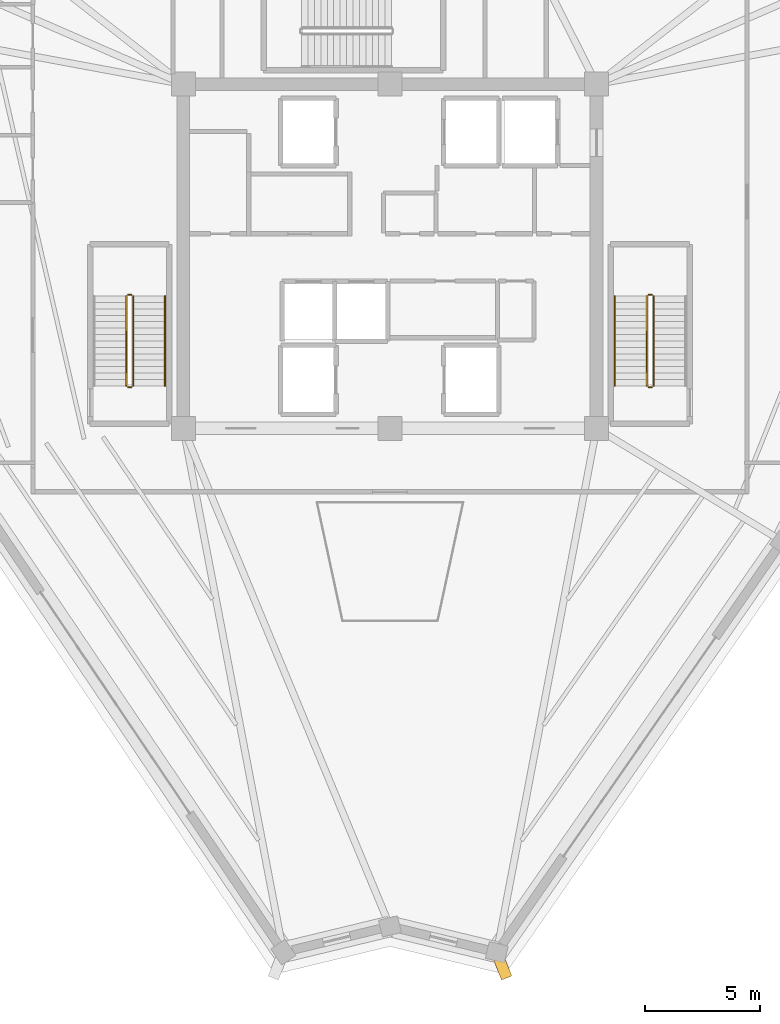
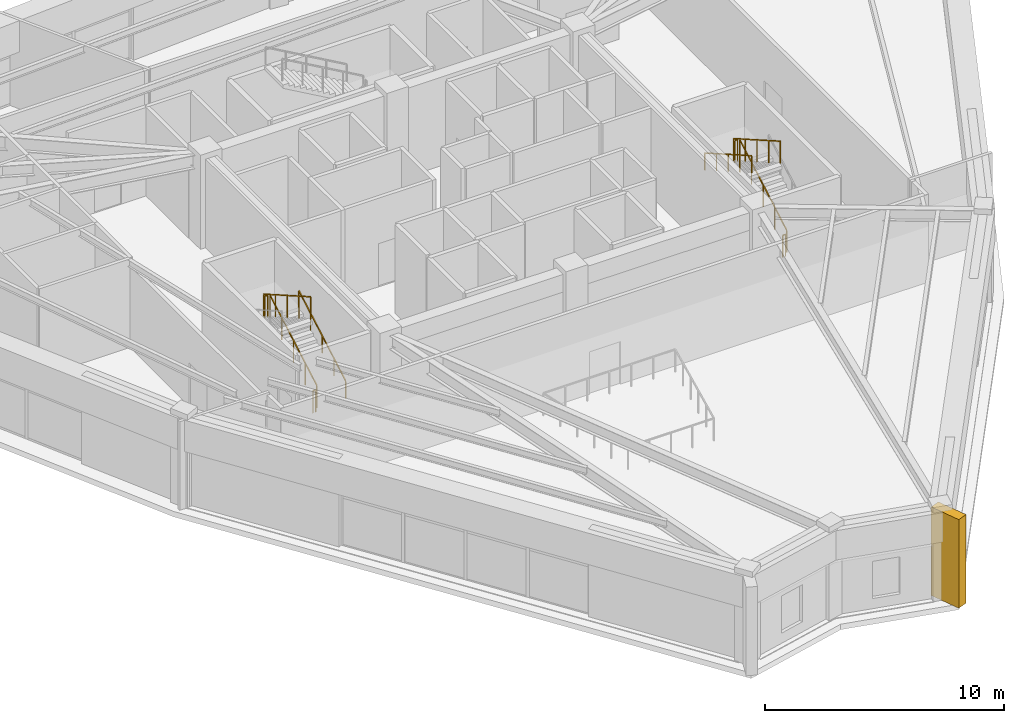
# One storey, part 39 of 40: 10 railings, 1 covering.
"""IFC4 building model written with IfcOpenShell, lengths in metres."""

from ifc_helpers import new_model, si_unit, direction, frame, origin, origin_2d, place, context, subcontext, project, spatial, rectangle, extrude, source, transform, mapped, material, layer, layer_set, type_object, element, save


model = new_model("IFC4")

# Units and contexts
model_context = context("Model", 3, precision=1e-05, world=origin(), true_north=direction((0.0, 1.0)))
body_context = subcontext(model_context, "Body", "Model", "MODEL_VIEW")
ifc_project = project(units=[si_unit("LENGTHUNIT", "METRE"), si_unit("AREAUNIT", "SQUARE_METRE"), si_unit("VOLUMEUNIT", "CUBIC_METRE"), si_unit("PLANEANGLEUNIT", "RADIAN"), si_unit("MASSUNIT", "GRAM", prefix="KILO")], contexts=[model_context])

# Site, building, storey
site_placement = place(None, origin())
site = spatial("IfcSite", under=ifc_project, at=site_placement, CompositionType="ELEMENT")
building_placement = place(site_placement, origin())
building = spatial("IfcBuilding", under=site, at=building_placement, Name="Liaohun Quay Tower", CompositionType="ELEMENT")
storey_placement = place(building_placement, frame((0.0, 0.0, 351.0)))
storey = spatial("IfcBuildingStorey", under=building, at=storey_placement, Name="L91", CompositionType="ELEMENT", Elevation=351.0)

# Railings
ifc_material_1 = material(Name="Painted tubular steel", Category="steel")
railing_type_1 = type_object("IfcRailingType", Name="RLG-GUARD-STR", PredefinedType="GUARDRAIL", material=ifc_material_1)
railing_1_placement = place(storey_placement, frame((48.81005859375, 48.35009765625, 0.159912109375)))
element("IfcRailing", 1, at=railing_1_placement, inside=storey, type_object=railing_type_1, Name="L91 ST-1 stair guard 1", PredefinedType="GUARDRAIL", context=body_context, shape_type="SweptSolid", body=[
    extrude(rectangle(XDim=0.048095703125, YDim=0.048095703125, at=origin_2d()), frame((0.0, 0.0, 1.1259765625), z_axis=(0.0, 0.868239814368, 0.496144761885), x_axis=(-1.0, 0.0, 0.0)), (0.0, 0.0, 1.0), 4.514892578125),
    extrude(rectangle(XDim=0.0419921875, YDim=0.0419921875, at=origin_2d()), origin(), (0.0, 0.0, 1.0), 1.101806640625),
    extrude(rectangle(XDim=0.0419921875, YDim=0.0419921875, at=origin_2d()), frame((0.0, 0.97998046875, 0.56005859375)), (0.0, 0.0, 1.0), 1.101806640625),
    extrude(rectangle(XDim=0.0419921875, YDim=0.0419921875, at=origin_2d()), frame((0.0, 1.9599609375, 1.1201171875)), (0.0, 0.0, 1.0), 1.101806640625),
    extrude(rectangle(XDim=0.0419921875, YDim=0.0419921875, at=origin_2d()), frame((0.0, 2.93994140625, 1.679931640625)), (0.0, 0.0, 1.0), 1.101806640625),
    extrude(rectangle(XDim=0.0419921875, YDim=0.0419921875, at=origin_2d()), frame((0.0, 3.919921875, 2.239990234375)), (0.0, 0.0, 1.0), 1.101806640625),
])
railing_2_placement = place(storey_placement, frame((48.72998046875, 52.320068359375, 2.39990234375)))
element("IfcRailing", 2, at=railing_2_placement, inside=storey, type_object=railing_type_1, Name="L91 ST-1 stair guard 2", PredefinedType="GUARDRAIL", context=body_context, shape_type="SweptSolid", body=[
    extrude(rectangle(XDim=0.048095703125, YDim=0.048095703125, at=origin_2d()), frame((0.0, 0.0, 1.1259765625), z_axis=(-1.0, 0.0, 0.0), x_axis=(0.0, -1.0, 0.0)), (0.0, 0.0, 1.0), 0.139892578125),
    extrude(rectangle(XDim=0.0419921875, YDim=0.0419921875, at=origin_2d()), origin(), (0.0, 0.0, 1.0), 1.101806640625),
    extrude(rectangle(XDim=0.0419921875, YDim=0.0419921875, at=origin_2d()), frame((-0.139892578125, 0.0, 0.0)), (0.0, 0.0, 1.0), 1.101806640625),
])
railing_3_placement = place(storey_placement, frame((48.510009765625, 52.27001953125, 2.56005859375)))
element("IfcRailing", 3, at=railing_3_placement, inside=storey, type_object=railing_type_1, Name="L91 ST-1 stair guard 3", PredefinedType="GUARDRAIL", context=body_context, shape_type="SweptSolid", body=[
    extrude(rectangle(XDim=0.048095703125, YDim=0.048095703125, at=origin_2d()), frame((0.0, 0.0, 1.1259765625), z_axis=(0.0, -0.868239814368, 0.496144761885), x_axis=(1.0, 0.0, 0.0)), (0.0, 0.0, 1.0), 4.514892578125),
    extrude(rectangle(XDim=0.0419921875, YDim=0.0419921875, at=origin_2d()), origin(), (0.0, 0.0, 1.0), 1.101806640625),
    extrude(rectangle(XDim=0.0419921875, YDim=0.0419921875, at=origin_2d()), frame((0.0, -0.97998046875, 0.56005859375)), (0.0, 0.0, 1.0), 1.101806640625),
    extrude(rectangle(XDim=0.0419921875, YDim=0.0419921875, at=origin_2d()), frame((0.0, -1.9599609375, 1.1201171875)), (0.0, 0.0, 1.0), 1.101806640625),
    extrude(rectangle(XDim=0.0419921875, YDim=0.0419921875, at=origin_2d()), frame((0.0, -2.93994140625, 1.679931640625)), (0.0, 0.0, 1.0), 1.101806640625),
    extrude(rectangle(XDim=0.0419921875, YDim=0.0419921875, at=origin_2d()), frame((0.0, -3.919921875, 2.239990234375)), (0.0, 0.0, 1.0), 1.101806640625),
])
railing_4_placement = place(storey_placement, frame((48.72998046875, 48.300048828125, 0.0)))
element("IfcRailing", 4, at=railing_4_placement, inside=storey, type_object=railing_type_1, Name="L91 ST-1 stair guard 4", PredefinedType="GUARDRAIL", context=body_context, shape_type="SweptSolid", body=[
    extrude(rectangle(XDim=0.048095703125, YDim=0.048095703125, at=origin_2d()), frame((0.0, 0.0, 1.1259765625), z_axis=(-1.0, 0.0, 0.0), x_axis=(0.0, -1.0, 0.0)), (0.0, 0.0, 1.0), 0.139892578125),
    extrude(rectangle(XDim=0.0419921875, YDim=0.0419921875, at=origin_2d()), origin(), (0.0, 0.0, 1.0), 1.101806640625),
    extrude(rectangle(XDim=0.0419921875, YDim=0.0419921875, at=origin_2d()), frame((-0.139892578125, 0.0, 0.0)), (0.0, 0.0, 1.0), 1.101806640625),
])
railing_5_placement = place(storey_placement, frame((71.489990234375, 48.35009765625, 0.159912109375)))
element("IfcRailing", 5, at=railing_5_placement, inside=storey, type_object=railing_type_1, Name="L91 ST-2 stair guard 1", PredefinedType="GUARDRAIL", context=body_context, shape_type="SweptSolid", body=[
    extrude(rectangle(XDim=0.048095703125, YDim=0.048095703125, at=origin_2d()), frame((0.0, 0.0, 1.1259765625), z_axis=(0.0, 0.868239814368, 0.496144761885), x_axis=(-1.0, 0.0, 0.0)), (0.0, 0.0, 1.0), 4.514892578125),
    extrude(rectangle(XDim=0.0419921875, YDim=0.0419921875, at=origin_2d()), origin(), (0.0, 0.0, 1.0), 1.101806640625),
    extrude(rectangle(XDim=0.0419921875, YDim=0.0419921875, at=origin_2d()), frame((0.0, 0.97998046875, 0.56005859375)), (0.0, 0.0, 1.0), 1.101806640625),
    extrude(rectangle(XDim=0.0419921875, YDim=0.0419921875, at=origin_2d()), frame((0.0, 1.9599609375, 1.1201171875)), (0.0, 0.0, 1.0), 1.101806640625),
    extrude(rectangle(XDim=0.0419921875, YDim=0.0419921875, at=origin_2d()), frame((0.0, 2.93994140625, 1.679931640625)), (0.0, 0.0, 1.0), 1.101806640625),
    extrude(rectangle(XDim=0.0419921875, YDim=0.0419921875, at=origin_2d()), frame((0.0, 3.919921875, 2.239990234375)), (0.0, 0.0, 1.0), 1.101806640625),
])
railing_6_placement = place(storey_placement, frame((71.409912109375, 52.320068359375, 2.39990234375)))
element("IfcRailing", 6, at=railing_6_placement, inside=storey, type_object=railing_type_1, Name="L91 ST-2 stair guard 2", PredefinedType="GUARDRAIL", context=body_context, shape_type="SweptSolid", body=[
    extrude(rectangle(XDim=0.048095703125, YDim=0.048095703125, at=origin_2d()), frame((0.0, 0.0, 1.1259765625), z_axis=(-1.0, 0.0, 0.0), x_axis=(0.0, -1.0, 0.0)), (0.0, 0.0, 1.0), 0.139892578125),
    extrude(rectangle(XDim=0.0419921875, YDim=0.0419921875, at=origin_2d()), origin(), (0.0, 0.0, 1.0), 1.101806640625),
    extrude(rectangle(XDim=0.0419921875, YDim=0.0419921875, at=origin_2d()), frame((-0.139892578125, 0.0, 0.0)), (0.0, 0.0, 1.0), 1.101806640625),
])
railing_7_placement = place(storey_placement, frame((71.18994140625, 52.27001953125, 2.56005859375)))
element("IfcRailing", 7, at=railing_7_placement, inside=storey, type_object=railing_type_1, Name="L91 ST-2 stair guard 3", PredefinedType="GUARDRAIL", context=body_context, shape_type="SweptSolid", body=[
    extrude(rectangle(XDim=0.048095703125, YDim=0.048095703125, at=origin_2d()), frame((0.0, 0.0, 1.1259765625), z_axis=(0.0, -0.868239814368, 0.496144761885), x_axis=(1.0, 0.0, 0.0)), (0.0, 0.0, 1.0), 4.514892578125),
    extrude(rectangle(XDim=0.0419921875, YDim=0.0419921875, at=origin_2d()), origin(), (0.0, 0.0, 1.0), 1.101806640625),
    extrude(rectangle(XDim=0.0419921875, YDim=0.0419921875, at=origin_2d()), frame((0.0, -0.97998046875, 0.56005859375)), (0.0, 0.0, 1.0), 1.101806640625),
    extrude(rectangle(XDim=0.0419921875, YDim=0.0419921875, at=origin_2d()), frame((0.0, -1.9599609375, 1.1201171875)), (0.0, 0.0, 1.0), 1.101806640625),
    extrude(rectangle(XDim=0.0419921875, YDim=0.0419921875, at=origin_2d()), frame((0.0, -2.93994140625, 1.679931640625)), (0.0, 0.0, 1.0), 1.101806640625),
    extrude(rectangle(XDim=0.0419921875, YDim=0.0419921875, at=origin_2d()), frame((0.0, -3.919921875, 2.239990234375)), (0.0, 0.0, 1.0), 1.101806640625),
])
railing_8_placement = place(storey_placement, frame((71.409912109375, 48.300048828125, 0.0)))
element("IfcRailing", 8, at=railing_8_placement, inside=storey, type_object=railing_type_1, Name="L91 ST-2 stair guard 4", PredefinedType="GUARDRAIL", context=body_context, shape_type="SweptSolid", body=[
    extrude(rectangle(XDim=0.048095703125, YDim=0.048095703125, at=origin_2d()), frame((0.0, 0.0, 1.1259765625), z_axis=(-1.0, 0.0, 0.0), x_axis=(0.0, -1.0, 0.0)), (0.0, 0.0, 1.0), 0.139892578125),
    extrude(rectangle(XDim=0.0419921875, YDim=0.0419921875, at=origin_2d()), origin(), (0.0, 0.0, 1.0), 1.101806640625),
    extrude(rectangle(XDim=0.0419921875, YDim=0.0419921875, at=origin_2d()), frame((-0.139892578125, 0.0, 0.0)), (0.0, 0.0, 1.0), 1.101806640625),
])
ifc_material_2 = material(Name="Brushed stainless steel", Category="steel")
railing_type_2 = type_object("IfcRailingType", Name="RLG-HND-STR", PredefinedType="HANDRAIL", material=ifc_material_2)
railing_9_placement = place(storey_placement, frame((50.199951171875, 48.35009765625, 0.159912109375)))
element("IfcRailing", 9, at=railing_9_placement, inside=storey, type_object=railing_type_2, Name="L91 ST-1 stair handrail 1", PredefinedType="HANDRAIL", context=body_context, shape_type="SweptSolid", body=[
    extrude(rectangle(XDim=0.048095703125, YDim=0.048095703125, at=origin_2d()), frame((0.0, 0.0, 0.8759765625), z_axis=(0.0, 0.868239814368, 0.496144761885), x_axis=(-1.0, 0.0, 0.0)), (0.0, 0.0, 1.0), 4.514892578125),
    extrude(rectangle(XDim=0.0419921875, YDim=0.0419921875, at=origin_2d()), origin(), (0.0, 0.0, 1.0), 0.851806640625),
    extrude(rectangle(XDim=0.0419921875, YDim=0.0419921875, at=origin_2d()), frame((0.0, 0.97998046875, 0.56005859375)), (0.0, 0.0, 1.0), 0.851806640625),
    extrude(rectangle(XDim=0.0419921875, YDim=0.0419921875, at=origin_2d()), frame((0.0, 1.9599609375, 1.1201171875)), (0.0, 0.0, 1.0), 0.851806640625),
    extrude(rectangle(XDim=0.0419921875, YDim=0.0419921875, at=origin_2d()), frame((0.0, 2.93994140625, 1.679931640625)), (0.0, 0.0, 1.0), 0.851806640625),
    extrude(rectangle(XDim=0.0419921875, YDim=0.0419921875, at=origin_2d()), frame((0.0, 3.919921875, 2.239990234375)), (0.0, 0.0, 1.0), 0.851806640625),
])
railing_10_placement = place(storey_placement, frame((69.800048828125, 52.27001953125, 2.56005859375)))
element("IfcRailing", 10, at=railing_10_placement, inside=storey, type_object=railing_type_2, Name="L91 ST-2 stair handrail 2", PredefinedType="HANDRAIL", context=body_context, shape_type="SweptSolid", body=[
    extrude(rectangle(XDim=0.048095703125, YDim=0.048095703125, at=origin_2d()), frame((0.0, 0.0, 0.8759765625), z_axis=(0.0, -0.868239814368, 0.496144761885), x_axis=(1.0, 0.0, 0.0)), (0.0, 0.0, 1.0), 4.514892578125),
    extrude(rectangle(XDim=0.0419921875, YDim=0.0419921875, at=origin_2d()), origin(), (0.0, 0.0, 1.0), 0.851806640625),
    extrude(rectangle(XDim=0.0419921875, YDim=0.0419921875, at=origin_2d()), frame((0.0, -0.97998046875, 0.56005859375)), (0.0, 0.0, 1.0), 0.851806640625),
    extrude(rectangle(XDim=0.0419921875, YDim=0.0419921875, at=origin_2d()), frame((0.0, -1.9599609375, 1.1201171875)), (0.0, 0.0, 1.0), 0.851806640625),
    extrude(rectangle(XDim=0.0419921875, YDim=0.0419921875, at=origin_2d()), frame((0.0, -2.93994140625, 1.679931640625)), (0.0, 0.0, 1.0), 0.851806640625),
    extrude(rectangle(XDim=0.0419921875, YDim=0.0419921875, at=origin_2d()), frame((0.0, -3.919921875, 2.239990234375)), (0.0, 0.0, 1.0), 0.851806640625),
])

# Covering
ifc_material_3 = material(Name="Bush-hammered Liaodong grey granite stone cladding", Category="masonry")
ifc_layer = layer(ifc_material_3, 0.0400390625, Name="Bush-hammered Liaodong grey granite stone cladding", Category="masonry")
ifc_layer_set = layer_set([ifc_layer], Name="Bush-hammered Liaodong grey granite stone cladding")
covering_type = type_object("IfcCoveringType", Name="COV-EXT-CLD", PredefinedType="CLADDING", material=ifc_layer_set)
shared_shape = source(origin(), body_context, "Body", "SweptSolid", [
    extrude(rectangle(XDim=1.485107421875, YDim=0.47998046875, at=origin_2d()), origin(), (0.0, 0.0, 1.0), 4.52001953125),
])
covering_placement = place(storey_placement, frame((64.81494140625, 23.243896484375, 0.0), z_axis=(0.0, 0.0, 1.0), x_axis=(-0.362210294983, 0.932096401779, 0.0)))
element("IfcCovering", 11, at=covering_placement, inside=storey, type_object=covering_type, Name="L91 Apex Pier Granite Cladding SE", PredefinedType="CLADDING", context=body_context, shape_type="MappedRepresentation", body=[
    mapped(shared_shape, transform((0.0, 0.0, 0.0), x_axis=(1.0, 0.0, 0.0), y_axis=(0.0, 1.0, 0.0), z_axis=(0.0, 0.0, 1.0), scale=1.0)),
])

save(model, "model.ifc")
